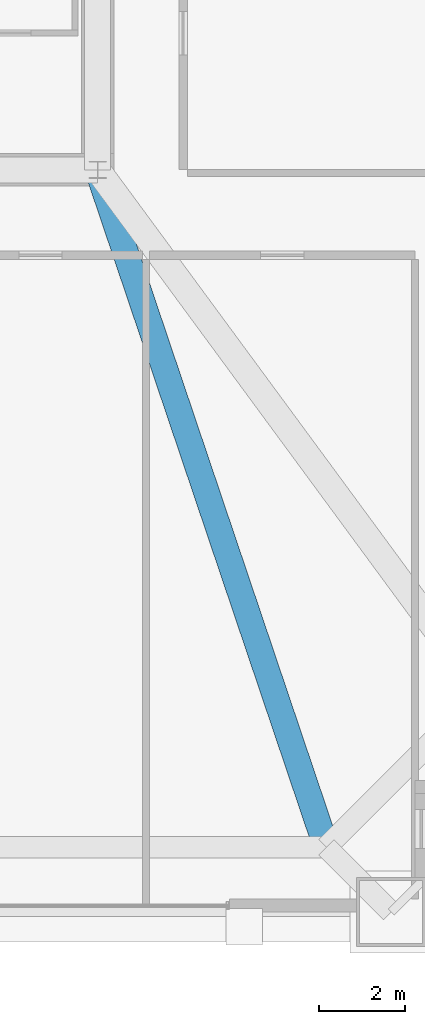
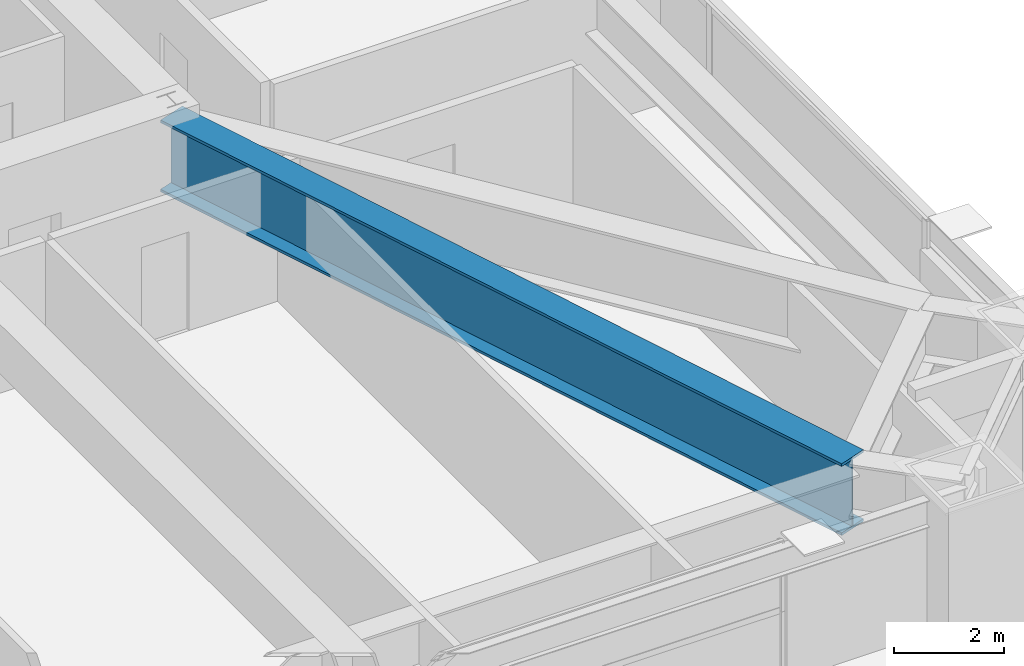
# One storey, part 19 of 45: 1 beam.
"""IFC4 building model written with IfcOpenShell, lengths in metres."""

from ifc_helpers import new_model, si_unit, direction, frame, origin, origin_2d, place, context, subcontext, project, spatial, i_section, extrude, source, transform, mapped, material, material_profile, profile_set, type_object, element, save


model = new_model("IFC4")

# Units and contexts
model_context = context("Model", 3, precision=1e-05, world=origin(), true_north=direction((0.0, 1.0)))
body_context = subcontext(model_context, "Body", "Model", "MODEL_VIEW")
ifc_project = project(units=[si_unit("LENGTHUNIT", "METRE"), si_unit("AREAUNIT", "SQUARE_METRE"), si_unit("VOLUMEUNIT", "CUBIC_METRE"), si_unit("PLANEANGLEUNIT", "RADIAN"), si_unit("MASSUNIT", "GRAM", prefix="KILO"), si_unit("THERMODYNAMICTEMPERATUREUNIT", "KELVIN"), si_unit("POWERUNIT", "WATT")], contexts=[model_context])

# Site, building, storey
site_placement = place(None, origin())
site = spatial("IfcSite", under=ifc_project, at=site_placement, CompositionType="ELEMENT")
building_placement = place(site_placement, origin())
building = spatial("IfcBuilding", under=site, at=building_placement, Name="Yuzanri Waterfront Tower", CompositionType="ELEMENT")
storey_placement = place(building_placement, frame((0.0, 0.0, 163.199951171875)))
storey = spatial("IfcBuildingStorey", under=building, at=storey_placement, Name="L43", CompositionType="ELEMENT", Elevation=163.199951171875)

# Beam
ifc_material = material(Name="Steel Q420GJC", Category="steel")
ifc_material_profile = material_profile(ifc_material, i_section(OverallWidth=0.60009765625, OverallDepth=1.60009765625, WebThickness=0.031982421875, FlangeThickness=0.06005859375, at=origin_2d()), Name="PG 1600x600x32x60")
ifc_profile_set = profile_set([ifc_material_profile], Name="Steel Q420GJC")
beam_type = type_object("IfcBeamType", Name="Ballroom Transfer Girder Q420GJC PG 1600x600", PredefinedType="USERDEFINED", material=ifc_profile_set)
shared_shape = source(origin(), body_context, "Body", "SweptSolid", [
    extrude(i_section(OverallWidth=0.60009765625, OverallDepth=1.60009765625, WebThickness=0.031982421875, FlangeThickness=0.06005859375, at=origin_2d()), origin(), (0.0, 0.0, 1.0), 16.5703125),
])
beam_placement = place(storey_placement, frame((50.199951171875, 19.39990234375, 2.5), z_axis=(0.319849903127, -0.9474682261, 0.0), x_axis=(0.9474682261, 0.319849903127, 0.0)))
element("IfcBeam", 1, at=beam_placement, inside=storey, type_object=beam_type, Name="L43 Setback Inner Transfer S3", ObjectType="GIRDER", PredefinedType="USERDEFINED", context=body_context, shape_type="MappedRepresentation", body=[
    mapped(shared_shape, transform((0.0, 0.0, 0.0), scale=1.0)),
])

save(model, "model.ifc")
